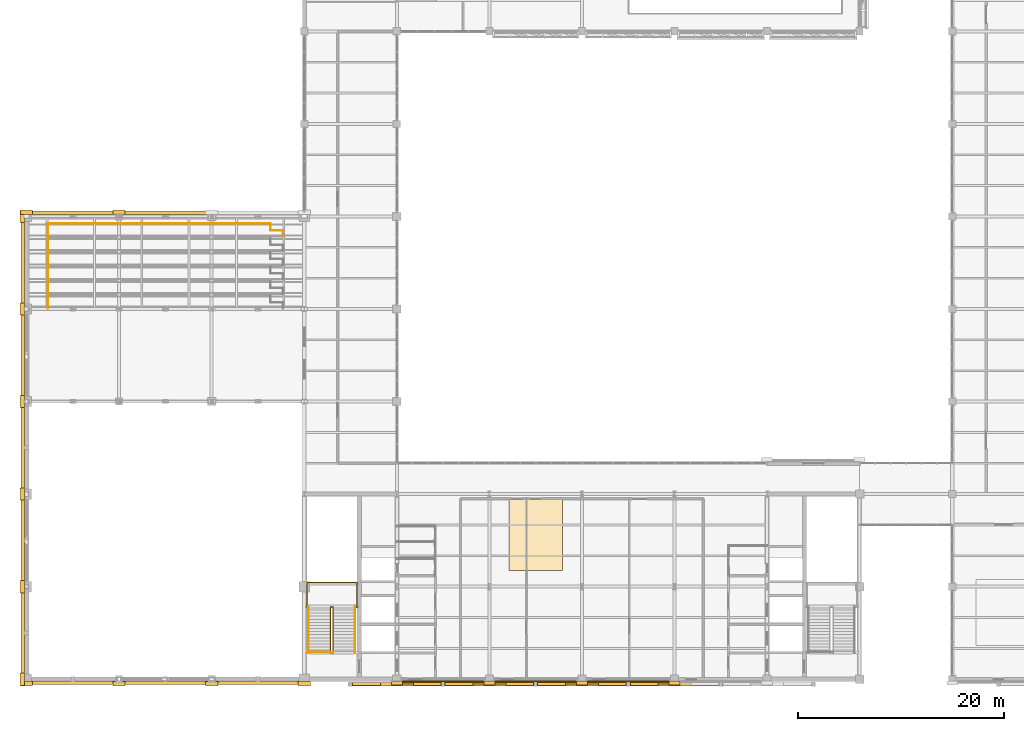
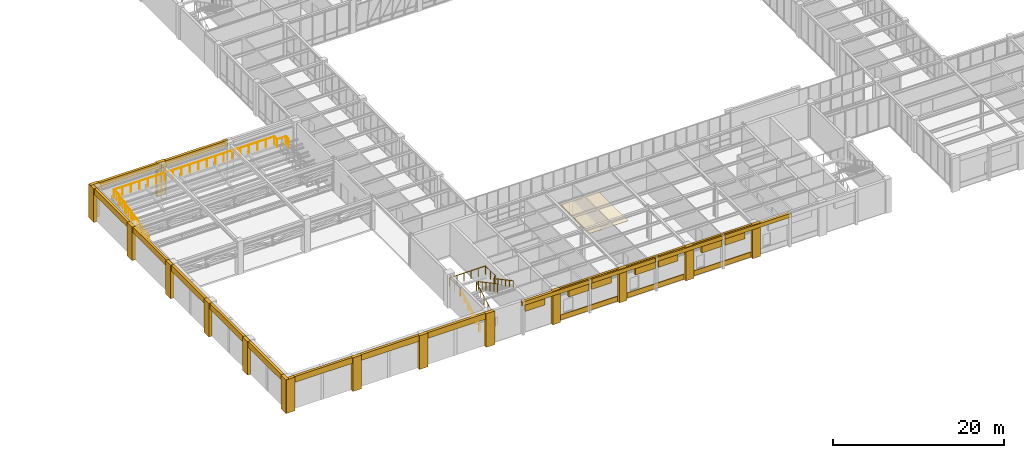
# One storey, part 88 of 92: 44 coverings, 11 railings.
"""IFC4 building model written with IfcOpenShell, lengths in metres."""

from ifc_helpers import new_model, si_unit, direction, frame, origin, origin_2d, place, context, subcontext, project, spatial, rectangle, circle, extrude, material, layer, layer_set, type_object, element, save


model = new_model("IFC4")

# Units and contexts
model_context = context("Model", 3, precision=1e-05, world=origin(), true_north=direction((0.0, 1.0)))
body_context = subcontext(model_context, "Body", "Model", "MODEL_VIEW")
ifc_project = project(units=[si_unit("LENGTHUNIT", "METRE"), si_unit("AREAUNIT", "SQUARE_METRE"), si_unit("VOLUMEUNIT", "CUBIC_METRE"), si_unit("PLANEANGLEUNIT", "RADIAN"), si_unit("MASSUNIT", "GRAM", prefix="KILO")], contexts=[model_context])

# Site, building, storey
site_placement = place(None, origin())
site = spatial("IfcSite", under=ifc_project, at=site_placement, CompositionType="ELEMENT")
building_placement = place(site_placement, origin())
building = spatial("IfcBuilding", under=site, at=building_placement, Name="Lykobir Media Centre", CompositionType="ELEMENT")
storey_placement = place(building_placement, frame((0.0, 0.0, 5.39990234375)))
storey = spatial("IfcBuildingStorey", under=building, at=storey_placement, Name="L01", CompositionType="ELEMENT", Elevation=5.39990234375)

# Coverings
ifc_material_1 = material(Name="Honed Travertine Stone", Category="masonry")
ifc_layer_1 = layer(ifc_material_1, 0.050048828125, Name="Honed Travertine Stone")
ifc_layer_set_1 = layer_set([ifc_layer_1], Name="Honed Travertine Stone")
covering_type_1 = type_object("IfcCoveringType", Name="CLD-TRAV", PredefinedType="CLADDING", material=ifc_layer_set_1)
covering_1_placement = place(storey_placement, frame((4.5, -0.360107421875, 3.9599609375), z_axis=(0.0, 0.0, 1.0), x_axis=(1.0, 0.0, 0.0)))
element("IfcCovering", 1, at=covering_1_placement, inside=storey, type_object=covering_type_1, Name="Acoustic hall cornice band 183", PredefinedType="CLADDING", context=body_context, shape_type="SweptSolid", body=[
    extrude(rectangle(XDim=9.0, YDim=0.340087890625, at=origin_2d()), origin(), (0.0, 0.0, 1.0), 0.840087890625),
])
for number, where, z_axis, x_axis, name in (
    (2, (0.0, -0.419921875, 0.0), (0.0, 0.0, 1.0), (1.0, 0.0, 0.0), "Stone pilaster 184"),
    (3, (9.0, -0.419921875, 0.0), (0.0, 0.0, 1.0), (1.0, 0.0, 0.0), "Stone pilaster 185"),
):
    element("IfcCovering", number, at=place(storey_placement, frame(where, z_axis=z_axis, x_axis=x_axis)), inside=storey, type_object=covering_type_1, Name=name, PredefinedType="CLADDING", context=body_context, shape_type="SweptSolid", body=[
        extrude(rectangle(XDim=1.179931640625, YDim=0.43994140625, at=origin_2d()), origin(), (0.0, 0.0, 1.0), 4.800048828125),
    ])
covering_2_placement = place(storey_placement, frame((13.5, -0.360107421875, 3.9599609375), z_axis=(0.0, 0.0, 1.0), x_axis=(1.0, 0.0, 0.0)))
element("IfcCovering", 4, at=covering_2_placement, inside=storey, type_object=covering_type_1, Name="Acoustic hall cornice band 186", PredefinedType="CLADDING", context=body_context, shape_type="SweptSolid", body=[
    extrude(rectangle(XDim=9.0, YDim=0.340087890625, at=origin_2d()), origin(), (0.0, 0.0, 1.0), 0.840087890625),
])
covering_3_placement = place(storey_placement, frame((18.0, -0.419921875, 0.0), z_axis=(0.0, 0.0, 1.0), x_axis=(1.0, 0.0, 0.0)))
element("IfcCovering", 5, at=covering_3_placement, inside=storey, type_object=covering_type_1, Name="Stone pilaster 187", PredefinedType="CLADDING", context=body_context, shape_type="SweptSolid", body=[
    extrude(rectangle(XDim=1.179931640625, YDim=0.43994140625, at=origin_2d()), origin(), (0.0, 0.0, 1.0), 4.800048828125),
])
covering_4_placement = place(storey_placement, frame((22.5, -0.360107421875, 3.9599609375), z_axis=(0.0, 0.0, 1.0), x_axis=(1.0, 0.0, 0.0)))
element("IfcCovering", 6, at=covering_4_placement, inside=storey, type_object=covering_type_1, Name="Acoustic hall cornice band 188", PredefinedType="CLADDING", context=body_context, shape_type="SweptSolid", body=[
    extrude(rectangle(XDim=9.0, YDim=0.340087890625, at=origin_2d()), origin(), (0.0, 0.0, 1.0), 0.840087890625),
])
covering_5_placement = place(storey_placement, frame((27.0, -0.419921875, 0.0), z_axis=(0.0, 0.0, 1.0), x_axis=(1.0, 0.0, 0.0)))
element("IfcCovering", 7, at=covering_5_placement, inside=storey, type_object=covering_type_1, Name="Stone pilaster 189", PredefinedType="CLADDING", context=body_context, shape_type="SweptSolid", body=[
    extrude(rectangle(XDim=1.179931640625, YDim=0.43994140625, at=origin_2d()), origin(), (0.0, 0.0, 1.0), 4.800048828125),
])
for number, where, z_axis, x_axis, name in (
    (8, (36.0, -0.3798828125, 0.0), (0.0, 0.0, 1.0), (1.0, 0.0, 0.0), "Travertine column pier 190"),
    (9, (45.0, -0.3798828125, 0.0), (0.0, 0.0, 1.0), (1.0, 0.0, 0.0), "Travertine column pier 191"),
):
    element("IfcCovering", number, at=place(storey_placement, frame(where, z_axis=z_axis, x_axis=x_axis)), inside=storey, type_object=covering_type_1, Name=name, PredefinedType="CLADDING", context=body_context, shape_type="SweptSolid", body=[
        extrude(rectangle(XDim=1.06005859375, YDim=0.39990234375, at=origin_2d()), origin(), (0.0, 0.0, 1.0), 4.800048828125),
    ])
covering_6_placement = place(storey_placement, frame((40.5, -0.300048828125, 4.0400390625), z_axis=(0.0, 0.0, 1.0), x_axis=(1.0, 0.0, 0.0)))
element("IfcCovering", 10, at=covering_6_placement, inside=storey, type_object=covering_type_1, Name="Travertine spandrel stringcourse 192", PredefinedType="CLADDING", context=body_context, shape_type="SweptSolid", body=[
    extrude(rectangle(XDim=9.0, YDim=0.280029296875, at=origin_2d()), origin(), (0.0, 0.0, 1.0), 0.760009765625),
])
covering_7_placement = place(storey_placement, frame((40.5, -0.216064453125, 0.080078125), z_axis=(0.0, 0.0, 1.0), x_axis=(1.0, 0.0, 0.0)))
element("IfcCovering", 11, at=covering_7_placement, inside=storey, type_object=covering_type_1, Name="Facade spandrel apron 193", PredefinedType="CLADDING", context=body_context, shape_type="SweptSolid", body=[
    extrude(rectangle(XDim=7.830078125, YDim=0.110107421875, at=origin_2d()), origin(), (0.0, 0.0, 1.0), 0.719970703125),
])
covering_8_placement = place(storey_placement, frame((54.0, -0.3798828125, 0.0), z_axis=(0.0, 0.0, 1.0), x_axis=(1.0, 0.0, 0.0)))
element("IfcCovering", 12, at=covering_8_placement, inside=storey, type_object=covering_type_1, Name="Travertine column pier 194", PredefinedType="CLADDING", context=body_context, shape_type="SweptSolid", body=[
    extrude(rectangle(XDim=1.06005859375, YDim=0.39990234375, at=origin_2d()), origin(), (0.0, 0.0, 1.0), 4.800048828125),
])
covering_9_placement = place(storey_placement, frame((49.5, -0.300048828125, 4.0400390625), z_axis=(0.0, 0.0, 1.0), x_axis=(1.0, 0.0, 0.0)))
element("IfcCovering", 13, at=covering_9_placement, inside=storey, type_object=covering_type_1, Name="Travertine spandrel stringcourse 195", PredefinedType="CLADDING", context=body_context, shape_type="SweptSolid", body=[
    extrude(rectangle(XDim=9.0, YDim=0.280029296875, at=origin_2d()), origin(), (0.0, 0.0, 1.0), 0.760009765625),
])
covering_10_placement = place(storey_placement, frame((49.5, -0.216064453125, 0.080078125), z_axis=(0.0, 0.0, 1.0), x_axis=(1.0, 0.0, 0.0)))
element("IfcCovering", 14, at=covering_10_placement, inside=storey, type_object=covering_type_1, Name="Facade spandrel apron 196", PredefinedType="CLADDING", context=body_context, shape_type="SweptSolid", body=[
    extrude(rectangle(XDim=7.830078125, YDim=0.110107421875, at=origin_2d()), origin(), (0.0, 0.0, 1.0), 0.719970703125),
])
covering_11_placement = place(storey_placement, frame((63.0, -0.3798828125, 0.0), z_axis=(0.0, 0.0, 1.0), x_axis=(1.0, 0.0, 0.0)))
element("IfcCovering", 15, at=covering_11_placement, inside=storey, type_object=covering_type_1, Name="Travertine column pier 197", PredefinedType="CLADDING", context=body_context, shape_type="SweptSolid", body=[
    extrude(rectangle(XDim=1.06005859375, YDim=0.39990234375, at=origin_2d()), origin(), (0.0, 0.0, 1.0), 4.800048828125),
])
covering_12_placement = place(storey_placement, frame((58.5, -0.300048828125, 4.0400390625), z_axis=(0.0, 0.0, 1.0), x_axis=(1.0, 0.0, 0.0)))
element("IfcCovering", 16, at=covering_12_placement, inside=storey, type_object=covering_type_1, Name="Travertine spandrel stringcourse 198", PredefinedType="CLADDING", context=body_context, shape_type="SweptSolid", body=[
    extrude(rectangle(XDim=9.0, YDim=0.280029296875, at=origin_2d()), origin(), (0.0, 0.0, 1.0), 0.760009765625),
])
covering_13_placement = place(storey_placement, frame((58.5, -0.216064453125, 0.080078125), z_axis=(0.0, 0.0, 1.0), x_axis=(1.0, 0.0, 0.0)))
element("IfcCovering", 17, at=covering_13_placement, inside=storey, type_object=covering_type_1, Name="Facade spandrel apron 199", PredefinedType="CLADDING", context=body_context, shape_type="SweptSolid", body=[
    extrude(rectangle(XDim=7.830078125, YDim=0.110107421875, at=origin_2d()), origin(), (0.0, 0.0, 1.0), 0.719970703125),
])
covering_14_placement = place(storey_placement, frame((4.5, 45.360107421875, 3.9599609375), z_axis=(0.0, 0.0, 1.0), x_axis=(-1.0, 0.0, 0.0)))
element("IfcCovering", 18, at=covering_14_placement, inside=storey, type_object=covering_type_1, Name="Acoustic hall cornice band 241", PredefinedType="CLADDING", context=body_context, shape_type="SweptSolid", body=[
    extrude(rectangle(XDim=9.0, YDim=0.340087890625, at=origin_2d()), origin(), (0.0, 0.0, 1.0), 0.840087890625),
])
for number, where, z_axis, x_axis, name in (
    (19, (9.0, 45.419921875, 0.0), (0.0, 0.0, 1.0), (-1.0, 0.0, 0.0), "Stone pilaster 242"),
    (20, (0.0, 45.419921875, 0.0), (0.0, 0.0, 1.0), (-1.0, 0.0, 0.0), "Stone pilaster 243"),
):
    element("IfcCovering", number, at=place(storey_placement, frame(where, z_axis=z_axis, x_axis=x_axis)), inside=storey, type_object=covering_type_1, Name=name, PredefinedType="CLADDING", context=body_context, shape_type="SweptSolid", body=[
        extrude(rectangle(XDim=1.179931640625, YDim=0.43994140625, at=origin_2d()), origin(), (0.0, 0.0, 1.0), 4.800048828125),
    ])
for number, where, z_axis, x_axis, name in (
    (21, (13.5, 45.360107421875, 3.9599609375), (0.0, 0.0, 1.0), (-1.0, 0.0, 0.0), "Acoustic hall cornice band 244"),
    (22, (-0.360107421875, 31.5, 3.9599609375), (0.0, 0.0, 1.0), (0.0, -1.0, 0.0), "Acoustic hall cornice band 248"),
):
    element("IfcCovering", number, at=place(storey_placement, frame(where, z_axis=z_axis, x_axis=x_axis)), inside=storey, type_object=covering_type_1, Name=name, PredefinedType="CLADDING", context=body_context, shape_type="SweptSolid", body=[
        extrude(rectangle(XDim=9.0, YDim=0.340087890625, at=origin_2d()), origin(), (0.0, 0.0, 1.0), 0.840087890625),
    ])
for number, where, z_axis, x_axis, name in (
    (23, (-0.419921875, 36.0, 0.0), (0.0, 0.0, 1.0), (0.0, -1.0, 0.0), "Stone pilaster 249"),
    (24, (-0.419921875, 27.0, 0.0), (0.0, 0.0, 1.0), (0.0, -1.0, 0.0), "Stone pilaster 250"),
):
    element("IfcCovering", number, at=place(storey_placement, frame(where, z_axis=z_axis, x_axis=x_axis)), inside=storey, type_object=covering_type_1, Name=name, PredefinedType="CLADDING", context=body_context, shape_type="SweptSolid", body=[
        extrude(rectangle(XDim=1.179931640625, YDim=0.43994140625, at=origin_2d()), origin(), (0.0, 0.0, 1.0), 4.800048828125),
    ])
covering_15_placement = place(storey_placement, frame((-0.360107421875, 40.5, 3.9599609375), z_axis=(0.0, 0.0, 1.0), x_axis=(0.0, -1.0, 0.0)))
element("IfcCovering", 25, at=covering_15_placement, inside=storey, type_object=covering_type_1, Name="Acoustic hall cornice band 251", PredefinedType="CLADDING", context=body_context, shape_type="SweptSolid", body=[
    extrude(rectangle(XDim=9.0, YDim=0.340087890625, at=origin_2d()), origin(), (0.0, 0.0, 1.0), 0.840087890625),
])
covering_16_placement = place(storey_placement, frame((-0.419921875, 45.0, 0.0), z_axis=(0.0, 0.0, 1.0), x_axis=(0.0, -1.0, 0.0)))
element("IfcCovering", 26, at=covering_16_placement, inside=storey, type_object=covering_type_1, Name="Stone pilaster 252", PredefinedType="CLADDING", context=body_context, shape_type="SweptSolid", body=[
    extrude(rectangle(XDim=1.179931640625, YDim=0.43994140625, at=origin_2d()), origin(), (0.0, 0.0, 1.0), 4.800048828125),
])
covering_17_placement = place(storey_placement, frame((-0.360107421875, 4.5, 3.9599609375), z_axis=(0.0, 0.0, 1.0), x_axis=(0.0, -1.0, 0.0)))
element("IfcCovering", 27, at=covering_17_placement, inside=storey, type_object=covering_type_1, Name="Acoustic hall cornice band 253", PredefinedType="CLADDING", context=body_context, shape_type="SweptSolid", body=[
    extrude(rectangle(XDim=9.0, YDim=0.340087890625, at=origin_2d()), origin(), (0.0, 0.0, 1.0), 0.840087890625),
])
for number, where, z_axis, x_axis, name in (
    (28, (-0.419921875, 9.0, 0.0), (0.0, 0.0, 1.0), (0.0, -1.0, 0.0), "Stone pilaster 254"),
    (29, (-0.419921875, 0.0, 0.0), (0.0, 0.0, 1.0), (0.0, -1.0, 0.0), "Stone pilaster 255"),
):
    element("IfcCovering", number, at=place(storey_placement, frame(where, z_axis=z_axis, x_axis=x_axis)), inside=storey, type_object=covering_type_1, Name=name, PredefinedType="CLADDING", context=body_context, shape_type="SweptSolid", body=[
        extrude(rectangle(XDim=1.179931640625, YDim=0.43994140625, at=origin_2d()), origin(), (0.0, 0.0, 1.0), 4.800048828125),
    ])
covering_18_placement = place(storey_placement, frame((-0.360107421875, 13.5, 3.9599609375), z_axis=(0.0, 0.0, 1.0), x_axis=(0.0, -1.0, 0.0)))
element("IfcCovering", 30, at=covering_18_placement, inside=storey, type_object=covering_type_1, Name="Acoustic hall cornice band 256", PredefinedType="CLADDING", context=body_context, shape_type="SweptSolid", body=[
    extrude(rectangle(XDim=9.0, YDim=0.340087890625, at=origin_2d()), origin(), (0.0, 0.0, 1.0), 0.840087890625),
])
covering_19_placement = place(storey_placement, frame((-0.419921875, 18.0, 0.0), z_axis=(0.0, 0.0, 1.0), x_axis=(0.0, -1.0, 0.0)))
element("IfcCovering", 31, at=covering_19_placement, inside=storey, type_object=covering_type_1, Name="Stone pilaster 257", PredefinedType="CLADDING", context=body_context, shape_type="SweptSolid", body=[
    extrude(rectangle(XDim=1.179931640625, YDim=0.43994140625, at=origin_2d()), origin(), (0.0, 0.0, 1.0), 4.800048828125),
])
covering_20_placement = place(storey_placement, frame((-0.360107421875, 22.5, 3.9599609375), z_axis=(0.0, 0.0, 1.0), x_axis=(0.0, -1.0, 0.0)))
element("IfcCovering", 32, at=covering_20_placement, inside=storey, type_object=covering_type_1, Name="Acoustic hall cornice band 258", PredefinedType="CLADDING", context=body_context, shape_type="SweptSolid", body=[
    extrude(rectangle(XDim=9.0, YDim=0.340087890625, at=origin_2d()), origin(), (0.0, 0.0, 1.0), 0.840087890625),
])
covering_21_placement = place(storey_placement, frame((36.0, -0.47998046875, 4.199951171875), z_axis=(0.0, 0.0, 1.0), x_axis=(1.0, 0.0, 0.0)))
element("IfcCovering", 33, at=covering_21_placement, inside=storey, type_object=covering_type_1, Name="South Revak entablature 951", PredefinedType="CLADDING", context=body_context, shape_type="SweptSolid", body=[
    extrude(rectangle(XDim=9.39990234375, YDim=0.340087890625, at=origin_2d()), origin(), (0.0, 0.0, 1.0), 0.56005859375),
])
for number, where, z_axis, x_axis, name in (
    (34, (33.050048828125, -0.47998046875, 3.27490234375), (0.0, 0.0, 1.0), (1.0, 0.0, 0.0), "South Revak pointed arch haunch 952"),
    (35, (38.949951171875, -0.47998046875, 3.27490234375), (0.0, 0.0, 1.0), (1.0, 0.0, 0.0), "South Revak pointed arch haunch 953"),
):
    element("IfcCovering", number, at=place(storey_placement, frame(where, z_axis=z_axis, x_axis=x_axis)), inside=storey, type_object=covering_type_1, Name=name, PredefinedType="CLADDING", context=body_context, shape_type="SweptSolid", body=[
        extrude(rectangle(XDim=2.699951171875, YDim=0.300048828125, at=origin_2d()), origin(), (0.0, 0.0, 1.0), 0.949951171875),
    ])
covering_22_placement = place(storey_placement, frame((45.0, -0.47998046875, 4.199951171875), z_axis=(0.0, 0.0, 1.0), x_axis=(1.0, 0.0, 0.0)))
element("IfcCovering", 36, at=covering_22_placement, inside=storey, type_object=covering_type_1, Name="South Revak entablature 954", PredefinedType="CLADDING", context=body_context, shape_type="SweptSolid", body=[
    extrude(rectangle(XDim=9.39990234375, YDim=0.340087890625, at=origin_2d()), origin(), (0.0, 0.0, 1.0), 0.56005859375),
])
for number, where, z_axis, x_axis, name in (
    (37, (42.050048828125, -0.47998046875, 3.27490234375), (0.0, 0.0, 1.0), (1.0, 0.0, 0.0), "South Revak pointed arch haunch 955"),
    (38, (47.949951171875, -0.47998046875, 3.27490234375), (0.0, 0.0, 1.0), (1.0, 0.0, 0.0), "South Revak pointed arch haunch 956"),
):
    element("IfcCovering", number, at=place(storey_placement, frame(where, z_axis=z_axis, x_axis=x_axis)), inside=storey, type_object=covering_type_1, Name=name, PredefinedType="CLADDING", context=body_context, shape_type="SweptSolid", body=[
        extrude(rectangle(XDim=2.699951171875, YDim=0.300048828125, at=origin_2d()), origin(), (0.0, 0.0, 1.0), 0.949951171875),
    ])
covering_23_placement = place(storey_placement, frame((54.0, -0.47998046875, 4.199951171875), z_axis=(0.0, 0.0, 1.0), x_axis=(1.0, 0.0, 0.0)))
element("IfcCovering", 39, at=covering_23_placement, inside=storey, type_object=covering_type_1, Name="South Revak entablature 957", PredefinedType="CLADDING", context=body_context, shape_type="SweptSolid", body=[
    extrude(rectangle(XDim=9.39990234375, YDim=0.340087890625, at=origin_2d()), origin(), (0.0, 0.0, 1.0), 0.56005859375),
])
for number, where, z_axis, x_axis, name in (
    (40, (51.050048828125, -0.47998046875, 3.27490234375), (0.0, 0.0, 1.0), (1.0, 0.0, 0.0), "South Revak pointed arch haunch 958"),
    (41, (56.949951171875, -0.47998046875, 3.27490234375), (0.0, 0.0, 1.0), (1.0, 0.0, 0.0), "South Revak pointed arch haunch 959"),
):
    element("IfcCovering", number, at=place(storey_placement, frame(where, z_axis=z_axis, x_axis=x_axis)), inside=storey, type_object=covering_type_1, Name=name, PredefinedType="CLADDING", context=body_context, shape_type="SweptSolid", body=[
        extrude(rectangle(XDim=2.699951171875, YDim=0.300048828125, at=origin_2d()), origin(), (0.0, 0.0, 1.0), 0.949951171875),
    ])
covering_24_placement = place(storey_placement, frame((63.0, -0.47998046875, 4.199951171875), z_axis=(0.0, 0.0, 1.0), x_axis=(1.0, 0.0, 0.0)))
element("IfcCovering", 42, at=covering_24_placement, inside=storey, type_object=covering_type_1, Name="South Revak entablature 960", PredefinedType="CLADDING", context=body_context, shape_type="SweptSolid", body=[
    extrude(rectangle(XDim=9.39990234375, YDim=0.340087890625, at=origin_2d()), origin(), (0.0, 0.0, 1.0), 0.56005859375),
])
covering_25_placement = place(storey_placement, frame((60.050048828125, -0.47998046875, 3.27490234375), z_axis=(0.0, 0.0, 1.0), x_axis=(1.0, 0.0, 0.0)))
element("IfcCovering", 43, at=covering_25_placement, inside=storey, type_object=covering_type_1, Name="South Revak pointed arch haunch 961", PredefinedType="CLADDING", context=body_context, shape_type="SweptSolid", body=[
    extrude(rectangle(XDim=2.699951171875, YDim=0.300048828125, at=origin_2d()), origin(), (0.0, 0.0, 1.0), 0.949951171875),
])
ifc_material_2 = material(Name="Acoustic Gypsum Board", Category="gypsum")
ifc_layer_2 = layer(ifc_material_2, 0.0400390625, Name="Acoustic Gypsum Board")
ifc_layer_set_2 = layer_set([ifc_layer_2], Name="Acoustic Gypsum Board")
covering_type_2 = type_object("IfcCoveringType", Name="COV-CEIL", PredefinedType="CEILING", material=ifc_layer_set_2)
covering_26_placement = place(storey_placement, frame((49.5, 14.080078125, 2.300048828125), z_axis=(0.0, 0.0, 1.0), x_axis=(1.0, 0.0, 0.0)))
element("IfcCovering", 44, at=covering_26_placement, inside=storey, type_object=covering_type_2, Name="L01 acoustic suspended ceiling 2", PredefinedType="CEILING", context=body_context, shape_type="SweptSolid", body=[
    extrude(rectangle(XDim=5.199951171875, YDim=7.050048828125, at=origin_2d()), origin(), (0.0, 0.0, 1.0), 0.0400390625),
])

# Railings
ifc_material_3 = material(Name="Steel S355", Category="steel")
railing_type_1 = type_object("IfcRailingType", Name="GR-1200", PredefinedType="BALUSTRADE", material=ifc_material_3)
railing_1_placement = place(storey_placement, frame((27.27001953125, 2.6298828125, 0.0)))
element("IfcRailing", 45, at=railing_1_placement, inside=storey, type_object=railing_type_1, Name="ST-1 L01 arrival well guard", PredefinedType="BALUSTRADE", context=body_context, shape_type="SweptSolid", body=[
    extrude(circle(Radius=0.02392578125, at=origin_2d()), frame((0.0, 0.0, 1.17578125), z_axis=(1.0, 0.0, 0.0), x_axis=(0.0, 1.0, 0.0)), (0.0, 0.0, 1.0), 2.5400390625),
    extrude(circle(Radius=0.02099609375, at=origin_2d()), origin(), (0.0, 0.0, 1.0), 1.15185546875),
    extrude(circle(Radius=0.02099609375, at=origin_2d()), frame((0.8466796875, 0.0, 0.0)), (0.0, 0.0, 1.0), 1.15185546875),
    extrude(circle(Radius=0.02099609375, at=origin_2d()), frame((1.693359375, 0.0, 0.0)), (0.0, 0.0, 1.0), 1.15185546875),
    extrude(circle(Radius=0.02099609375, at=origin_2d()), frame((2.5400390625, 0.0, 0.0)), (0.0, 0.0, 1.0), 1.15185546875),
])
railing_2_placement = place(storey_placement, frame((29.530029296875, 2.530029296875, 0.0)))
element("IfcRailing", 46, at=railing_2_placement, inside=storey, type_object=railing_type_1, Name="ST-1 L01 inner well and slot guard", PredefinedType="BALUSTRADE", context=body_context, shape_type="SweptSolid", body=[
    extrude(circle(Radius=0.02392578125, at=origin_2d()), frame((0.0, 0.0, 1.17578125), z_axis=(0.0, 0.882341014787, 0.470610596591), x_axis=(-1.0, 0.0, 0.0)), (0.0, 0.0, 1.0), 5.10009765625),
    extrude(circle(Radius=0.02392578125, at=origin_2d()), frame((0.0, 4.5, 3.576171875), z_axis=(1.0, 0.0, 0.0), x_axis=(0.0, 1.0, 0.0)), (0.0, 0.0, 1.0), 0.280029296875),
    extrude(circle(Radius=0.02392578125, at=origin_2d()), frame((0.280029296875, 4.5, 3.576171875), z_axis=(0.0, -0.882360891967, 0.470573327259), x_axis=(1.0, 0.0, 0.0)), (0.0, 0.0, 1.0), 5.099853515625),
    extrude(circle(Radius=0.02099609375, at=origin_2d()), origin(), (0.0, 0.0, 1.0), 1.15185546875),
    extrude(circle(Radius=0.02099609375, at=origin_2d()), frame((0.0, 0.89990234375, 0.47998046875)), (0.0, 0.0, 1.0), 1.15185546875),
    extrude(circle(Radius=0.02099609375, at=origin_2d()), frame((0.0, 1.800048828125, 0.9599609375)), (0.0, 0.0, 1.0), 1.15185546875),
    extrude(circle(Radius=0.02099609375, at=origin_2d()), frame((0.0, 2.699951171875, 1.440185546875)), (0.0, 0.0, 1.0), 1.15185546875),
    extrude(circle(Radius=0.02099609375, at=origin_2d()), frame((0.0, 3.60009765625, 1.920166015625)), (0.0, 0.0, 1.0), 1.15185546875),
    extrude(circle(Radius=0.02099609375, at=origin_2d()), frame((0.0, 4.5, 2.400146484375)), (0.0, 0.0, 1.0), 1.15185546875),
    extrude(circle(Radius=0.02099609375, at=origin_2d()), frame((0.280029296875, 4.5, 2.400146484375)), (0.0, 0.0, 1.0), 1.15185546875),
    extrude(circle(Radius=0.02099609375, at=origin_2d()), frame((0.280029296875, 3.60009765625, 2.880126953125)), (0.0, 0.0, 1.0), 1.15185546875),
    extrude(circle(Radius=0.02099609375, at=origin_2d()), frame((0.280029296875, 2.699951171875, 3.360107421875)), (0.0, 0.0, 1.0), 1.15185546875),
    extrude(circle(Radius=0.02099609375, at=origin_2d()), frame((0.280029296875, 1.800048828125, 3.840087890625)), (0.0, 0.0, 1.0), 1.15185546875),
    extrude(circle(Radius=0.02099609375, at=origin_2d()), frame((0.280029296875, 0.89990234375, 4.320068359375)), (0.0, 0.0, 1.0), 1.15185546875),
    extrude(circle(Radius=0.02099609375, at=origin_2d()), frame((0.280029296875, 0.0, 4.800048828125)), (0.0, 0.0, 1.0), 1.15185546875),
])
railing_3_placement = place(storey_placement, frame((27.389892578125, 6.989990234375, 2.400146484375)))
element("IfcRailing", 47, at=railing_3_placement, inside=storey, type_object=railing_type_1, Name="ST-1 L01 half-landing perimeter guard", PredefinedType="BALUSTRADE", context=body_context, shape_type="SweptSolid", body=[
    extrude(circle(Radius=0.02392578125, at=origin_2d()), frame((0.0, 0.0, 1.17578125), z_axis=(-1.0, 0.0, 0.0), x_axis=(0.0, -1.0, 0.0)), (0.0, 0.0, 1.0), 0.10986328125),
    extrude(circle(Radius=0.02392578125, at=origin_2d()), frame((-0.10986328125, 0.0, 1.17578125), z_axis=(0.0, 1.0, 0.0), x_axis=(-1.0, 0.0, 0.0)), (0.0, 0.0, 1.0), 2.39990234375),
    extrude(circle(Radius=0.02392578125, at=origin_2d()), frame((-0.10986328125, 2.39990234375, 1.17578125), z_axis=(1.0, 0.0, 0.0), x_axis=(0.0, 1.0, 0.0)), (0.0, 0.0, 1.0), 4.840087890625),
    extrude(circle(Radius=0.02392578125, at=origin_2d()), frame((4.730224609375, 2.39990234375, 1.17578125), z_axis=(0.0, -1.0, 0.0), x_axis=(1.0, 0.0, 0.0)), (0.0, 0.0, 1.0), 2.39990234375),
    extrude(circle(Radius=0.02392578125, at=origin_2d()), frame((4.730224609375, 0.0, 1.17578125), z_axis=(-1.0, 0.0, 0.0), x_axis=(0.0, -1.0, 0.0)), (0.0, 0.0, 1.0), 0.170166015625),
    extrude(circle(Radius=0.02099609375, at=origin_2d()), origin(), (0.0, 0.0, 1.0), 1.15185546875),
    extrude(circle(Radius=0.02099609375, at=origin_2d()), frame((-0.10986328125, 0.0, 0.0)), (0.0, 0.0, 1.0), 1.15185546875),
    extrude(circle(Radius=0.02099609375, at=origin_2d()), frame((-0.10986328125, 1.199951171875, 0.0)), (0.0, 0.0, 1.0), 1.15185546875),
    extrude(circle(Radius=0.02099609375, at=origin_2d()), frame((-0.10986328125, 2.39990234375, 0.0)), (0.0, 0.0, 1.0), 1.15185546875),
    extrude(circle(Radius=0.02099609375, at=origin_2d()), frame((0.858154296875, 2.39990234375, 0.0)), (0.0, 0.0, 1.0), 1.15185546875),
    extrude(circle(Radius=0.02099609375, at=origin_2d()), frame((1.826171875, 2.39990234375, 0.0)), (0.0, 0.0, 1.0), 1.15185546875),
    extrude(circle(Radius=0.02099609375, at=origin_2d()), frame((2.794189453125, 2.39990234375, 0.0)), (0.0, 0.0, 1.0), 1.15185546875),
    extrude(circle(Radius=0.02099609375, at=origin_2d()), frame((3.76220703125, 2.39990234375, 0.0)), (0.0, 0.0, 1.0), 1.15185546875),
    extrude(circle(Radius=0.02099609375, at=origin_2d()), frame((4.730224609375, 2.39990234375, 0.0)), (0.0, 0.0, 1.0), 1.15185546875),
    extrude(circle(Radius=0.02099609375, at=origin_2d()), frame((4.730224609375, 1.199951171875, 0.0)), (0.0, 0.0, 1.0), 1.15185546875),
    extrude(circle(Radius=0.02099609375, at=origin_2d()), frame((4.730224609375, 0.0, 0.0)), (0.0, 0.0, 1.0), 1.15185546875),
    extrude(circle(Radius=0.02099609375, at=origin_2d()), frame((4.56005859375, 0.0, 0.0)), (0.0, 0.0, 1.0), 1.15185546875),
])
for number, where, name in (
    (48, (2.06005859375, 36.06005859375, 1.18017578125), "SCR3 west tier 1 balustrade"),
    (49, (2.06005859375, 37.4599609375, 1.47998046875), "SCR3 west tier 2 balustrade"),
    (50, (2.06005859375, 38.860107421875, 1.780029296875), "SCR3 west tier 3 balustrade"),
    (51, (2.06005859375, 40.260009765625, 2.080078125), "SCR3 west tier 4 balustrade"),
    (52, (2.06005859375, 41.659912109375, 2.380126953125), "SCR3 west tier 5 balustrade"),
):
    element("IfcRailing", number, at=place(storey_placement, frame(where)), inside=storey, type_object=railing_type_1, Name=name, PredefinedType="BALUSTRADE", context=body_context, shape_type="SweptSolid", body=[
        extrude(circle(Radius=0.02392578125, at=origin_2d()), frame((0.0, 0.0, 1.17578125), z_axis=(0.0, 1.0, 0.0), x_axis=(-1.0, 0.0, 0.0)), (0.0, 0.0, 1.0), 1.239990234375),
        extrude(circle(Radius=0.02099609375, at=origin_2d()), origin(), (0.0, 0.0, 1.0), 1.15185546875),
        extrude(circle(Radius=0.02099609375, at=origin_2d()), frame((0.0, 0.6201171875, 0.0)), (0.0, 0.0, 1.0), 1.15185546875),
        extrude(circle(Radius=0.02099609375, at=origin_2d()), frame((0.0, 1.239990234375, 0.0)), (0.0, 0.0, 1.0), 1.15185546875),
    ])
railing_4_placement = place(storey_placement, frame((2.06005859375, 43.06005859375, 2.68017578125)))
element("IfcRailing", 53, at=railing_4_placement, inside=storey, type_object=railing_type_1, Name="SCR3 rear tier 6 balustrade", PredefinedType="BALUSTRADE", context=body_context, shape_type="SweptSolid", body=[
    extrude(circle(Radius=0.02392578125, at=origin_2d()), frame((0.0, 0.0, 1.17578125), z_axis=(0.0, 1.0, 0.0), x_axis=(-1.0, 0.0, 0.0)), (0.0, 0.0, 1.0), 1.239990234375),
    extrude(circle(Radius=0.02392578125, at=origin_2d()), frame((0.0, 1.239990234375, 1.17578125), z_axis=(1.0, 0.0, 0.0), x_axis=(0.0, 1.0, 0.0)), (0.0, 0.0, 1.0), 21.679931640625),
    extrude(circle(Radius=0.02392578125, at=origin_2d()), frame((21.679931640625, 1.239990234375, 1.17578125), z_axis=(0.0, -1.0, 0.0), x_axis=(1.0, 0.0, 0.0)), (0.0, 0.0, 1.0), 0.66015625),
    extrude(circle(Radius=0.02392578125, at=origin_2d()), frame((21.679931640625, 0.579833984375, 1.17578125), z_axis=(1.0, 0.0, 0.0), x_axis=(0.0, 1.0, 0.0)), (0.0, 0.0, 1.0), 1.199951171875),
    extrude(circle(Radius=0.02392578125, at=origin_2d()), frame((22.8798828125, 0.579833984375, 1.17578125), z_axis=(0.0, -1.0, 0.0), x_axis=(1.0, 0.0, 0.0)), (0.0, 0.0, 1.0), 0.579833984375),
    extrude(circle(Radius=0.02099609375, at=origin_2d()), origin(), (0.0, 0.0, 1.0), 1.15185546875),
    extrude(circle(Radius=0.02099609375, at=origin_2d()), frame((0.0, 0.6201171875, 0.0)), (0.0, 0.0, 1.0), 1.15185546875),
    extrude(circle(Radius=0.02099609375, at=origin_2d()), frame((0.0, 1.239990234375, 0.0)), (0.0, 0.0, 1.0), 1.15185546875),
    extrude(circle(Radius=0.02099609375, at=origin_2d()), frame((1.14111328125, 1.239990234375, 0.0)), (0.0, 0.0, 1.0), 1.15185546875),
    extrude(circle(Radius=0.02099609375, at=origin_2d()), frame((2.281982421875, 1.239990234375, 0.0)), (0.0, 0.0, 1.0), 1.15185546875),
    extrude(circle(Radius=0.02099609375, at=origin_2d()), frame((3.423095703125, 1.239990234375, 0.0)), (0.0, 0.0, 1.0), 1.15185546875),
    extrude(circle(Radius=0.02099609375, at=origin_2d()), frame((4.564208984375, 1.239990234375, 0.0)), (0.0, 0.0, 1.0), 1.15185546875),
    extrude(circle(Radius=0.02099609375, at=origin_2d()), frame((5.705322265625, 1.239990234375, 0.0)), (0.0, 0.0, 1.0), 1.15185546875),
    extrude(circle(Radius=0.02099609375, at=origin_2d()), frame((6.84619140625, 1.239990234375, 0.0)), (0.0, 0.0, 1.0), 1.15185546875),
    extrude(circle(Radius=0.02099609375, at=origin_2d()), frame((7.9873046875, 1.239990234375, 0.0)), (0.0, 0.0, 1.0), 1.15185546875),
    extrude(circle(Radius=0.02099609375, at=origin_2d()), frame((9.12841796875, 1.239990234375, 0.0)), (0.0, 0.0, 1.0), 1.15185546875),
    extrude(circle(Radius=0.02099609375, at=origin_2d()), frame((10.26953125, 1.239990234375, 0.0)), (0.0, 0.0, 1.0), 1.15185546875),
    extrude(circle(Radius=0.02099609375, at=origin_2d()), frame((11.410400390625, 1.239990234375, 0.0)), (0.0, 0.0, 1.0), 1.15185546875),
    extrude(circle(Radius=0.02099609375, at=origin_2d()), frame((12.551513671875, 1.239990234375, 0.0)), (0.0, 0.0, 1.0), 1.15185546875),
    extrude(circle(Radius=0.02099609375, at=origin_2d()), frame((13.692626953125, 1.239990234375, 0.0)), (0.0, 0.0, 1.0), 1.15185546875),
    extrude(circle(Radius=0.02099609375, at=origin_2d()), frame((14.833740234375, 1.239990234375, 0.0)), (0.0, 0.0, 1.0), 1.15185546875),
    extrude(circle(Radius=0.02099609375, at=origin_2d()), frame((15.974609375, 1.239990234375, 0.0)), (0.0, 0.0, 1.0), 1.15185546875),
    extrude(circle(Radius=0.02099609375, at=origin_2d()), frame((17.11572265625, 1.239990234375, 0.0)), (0.0, 0.0, 1.0), 1.15185546875),
    extrude(circle(Radius=0.02099609375, at=origin_2d()), frame((18.2568359375, 1.239990234375, 0.0)), (0.0, 0.0, 1.0), 1.15185546875),
    extrude(circle(Radius=0.02099609375, at=origin_2d()), frame((19.39794921875, 1.239990234375, 0.0)), (0.0, 0.0, 1.0), 1.15185546875),
    extrude(circle(Radius=0.02099609375, at=origin_2d()), frame((20.538818359375, 1.239990234375, 0.0)), (0.0, 0.0, 1.0), 1.15185546875),
    extrude(circle(Radius=0.02099609375, at=origin_2d()), frame((21.679931640625, 1.239990234375, 0.0)), (0.0, 0.0, 1.0), 1.15185546875),
    extrude(circle(Radius=0.02099609375, at=origin_2d()), frame((21.679931640625, 0.579833984375, 0.0)), (0.0, 0.0, 1.0), 1.15185546875),
    extrude(circle(Radius=0.02099609375, at=origin_2d()), frame((22.8798828125, 0.579833984375, 0.0)), (0.0, 0.0, 1.0), 1.15185546875),
    extrude(circle(Radius=0.02099609375, at=origin_2d()), frame((22.8798828125, 0.0, 0.0)), (0.0, 0.0, 1.0), 1.15185546875),
])
railing_type_2 = type_object("IfcRailingType", Name="HR-0900", PredefinedType="HANDRAIL", material=ifc_material_3)
railing_5_placement = place(storey_placement, frame((27.429931640625, 2.530029296875, 0.0)))
element("IfcRailing", 54, at=railing_5_placement, inside=storey, type_object=railing_type_2, Name="ST-1 L01 F1 wall handrail", PredefinedType="HANDRAIL", context=body_context, shape_type="SweptSolid", body=[
    extrude(circle(Radius=0.02392578125, at=origin_2d()), frame((0.0, 0.0, 0.8759765625), z_axis=(0.0, 0.882341014787, 0.470610596591), x_axis=(-1.0, 0.0, 0.0)), (0.0, 0.0, 1.0), 5.10009765625),
    extrude(circle(Radius=0.02099609375, at=origin_2d()), origin(), (0.0, 0.0, 1.0), 0.851806640625),
    extrude(circle(Radius=0.02099609375, at=origin_2d()), frame((0.0, 0.89990234375, 0.47998046875)), (0.0, 0.0, 1.0), 0.851806640625),
    extrude(circle(Radius=0.02099609375, at=origin_2d()), frame((0.0, 1.800048828125, 0.9599609375)), (0.0, 0.0, 1.0), 0.851806640625),
    extrude(circle(Radius=0.02099609375, at=origin_2d()), frame((0.0, 2.699951171875, 1.440185546875)), (0.0, 0.0, 1.0), 0.851806640625),
    extrude(circle(Radius=0.02099609375, at=origin_2d()), frame((0.0, 3.60009765625, 1.920166015625)), (0.0, 0.0, 1.0), 0.851806640625),
    extrude(circle(Radius=0.02099609375, at=origin_2d()), frame((0.0, 4.5, 2.400146484375)), (0.0, 0.0, 1.0), 0.851806640625),
])
railing_6_placement = place(storey_placement, frame((31.909912109375, 7.030029296875, 2.400146484375)))
element("IfcRailing", 55, at=railing_6_placement, inside=storey, type_object=railing_type_2, Name="ST-1 L01 F2 wall handrail", PredefinedType="HANDRAIL", context=body_context, shape_type="SweptSolid", body=[
    extrude(circle(Radius=0.02392578125, at=origin_2d()), frame((0.0, 0.0, 0.8759765625), z_axis=(0.0, -0.882360891967, 0.470573327259), x_axis=(1.0, 0.0, 0.0)), (0.0, 0.0, 1.0), 5.099853515625),
    extrude(circle(Radius=0.02099609375, at=origin_2d()), origin(), (0.0, 0.0, 1.0), 0.851806640625),
    extrude(circle(Radius=0.02099609375, at=origin_2d()), frame((0.0, -0.89990234375, 0.47998046875)), (0.0, 0.0, 1.0), 0.851806640625),
    extrude(circle(Radius=0.02099609375, at=origin_2d()), frame((0.0, -1.800048828125, 0.9599609375)), (0.0, 0.0, 1.0), 0.851806640625),
    extrude(circle(Radius=0.02099609375, at=origin_2d()), frame((0.0, -2.699951171875, 1.43994140625)), (0.0, 0.0, 1.0), 0.851806640625),
    extrude(circle(Radius=0.02099609375, at=origin_2d()), frame((0.0, -3.60009765625, 1.919921875)), (0.0, 0.0, 1.0), 0.851806640625),
    extrude(circle(Radius=0.02099609375, at=origin_2d()), frame((0.0, -4.5, 2.39990234375)), (0.0, 0.0, 1.0), 0.851806640625),
])

save(model, "model.ifc")
